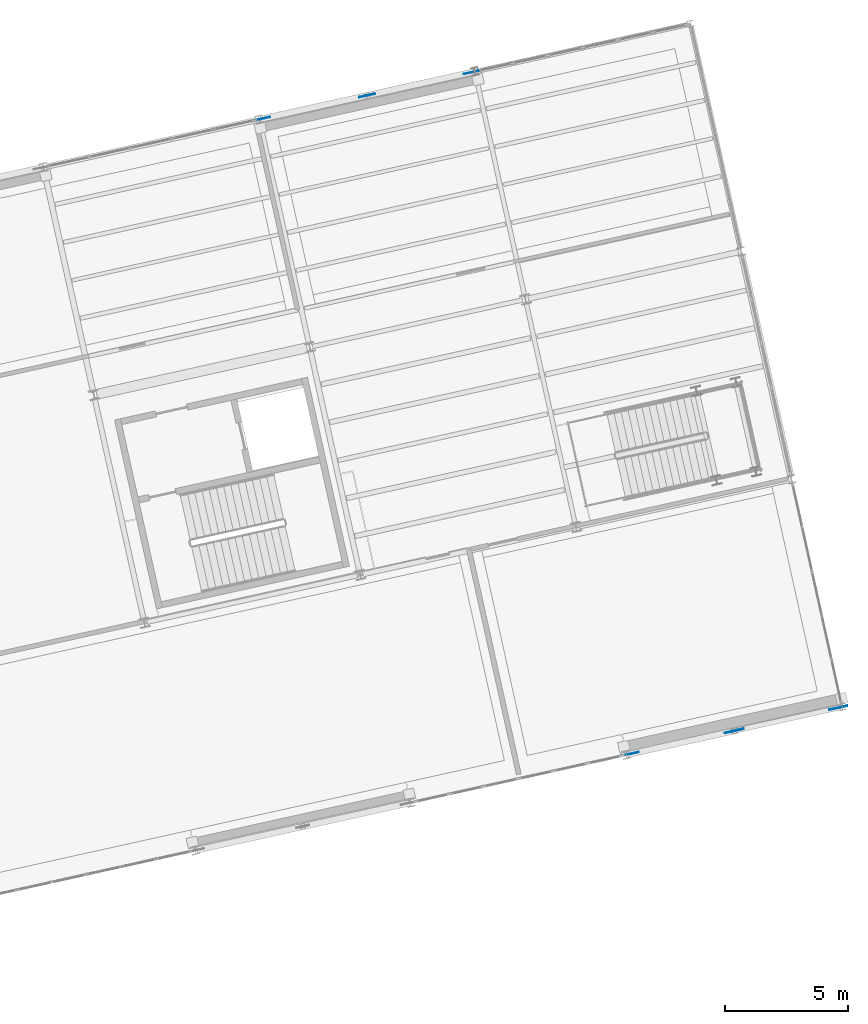
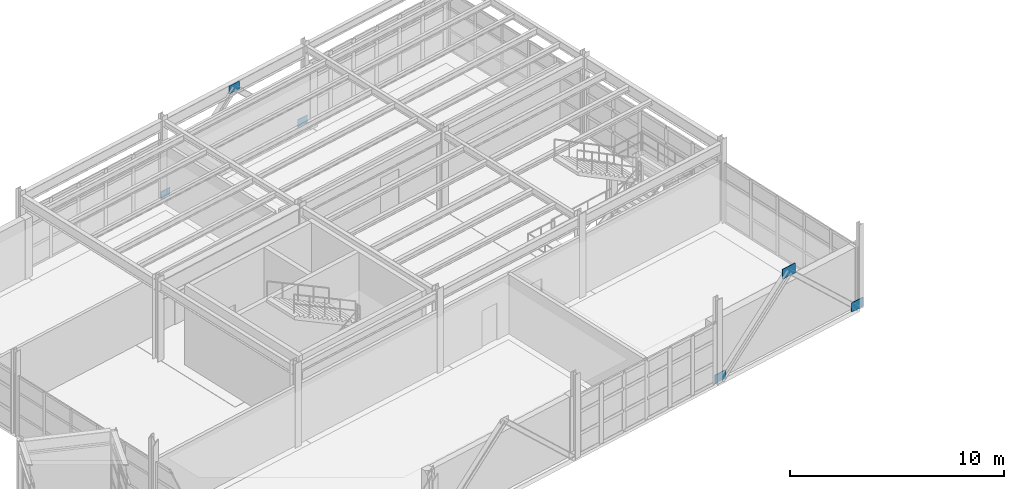
# One storey, part 84 of 102: 6 plates.
"""IFC4 building model written with IfcOpenShell, lengths in metres."""

import ifcopenshell
import ifcopenshell.guid

model = None  # the IFC model being written
_history = None  # IfcOwnerHistory: only IFC2X3 demands one
_inside = {}  # id of a spatial element -> (the spatial element, [elements in it])
_under = {}  # id of a project, library or spatial element -> (it, [spatial elements below it])
_declared = {}  # id of a project -> (the project, [libraries it declares])
_typed = {}  # id of a type object -> (the type object, [elements of that type])
_made_of = {}  # id of a material, layer set ... -> (it, [elements and type objects made of it])


def new_model(schema):
    """Start an empty IFC model of exactly this schema.

    Asked for "IFC4X3", IfcOpenShell would pick the latest addendum, in which some entities
    have other attributes; the version numbers below select the first issue.
    IFC2X3 requires an IfcOwnerHistory on every rooted entity: one is made here for all.
    """
    global model, _history
    if schema == "IFC4X3":
        model = ifcopenshell.file(schema_version=(4, 3, 0, 0))
    else:
        model = ifcopenshell.file(schema=schema)
    _inside.clear()
    _under.clear()
    _declared.clear()
    _typed.clear()
    _made_of.clear()
    _history = None
    if model.schema == "IFC2X3":
        org = make("IfcOrganization", Name="unknown")
        user = make(
            "IfcPersonAndOrganization",
            ThePerson=make("IfcPerson", FamilyName="unknown"),
            TheOrganization=org,
        )
        app = make(
            "IfcApplication",
            ApplicationDeveloper=org,
            Version="unknown",
            ApplicationFullName="unknown",
            ApplicationIdentifier="unknown",
        )
        _history = make(
            "IfcOwnerHistory",
            OwningUser=user,
            OwningApplication=app,
            ChangeAction="ADDED",
            CreationDate=0,
        )
    return model


def make(cls, **values):
    """One entity of the class cls with the attributes given. An attribute that is None is left unset."""
    return model.create_entity(
        cls, **{name: value for name, value in values.items() if value is not None}
    )


def rooted(cls, **values):
    """An entity with a GlobalId (a new one), such as an element, a storey or a relation."""
    return make(cls, GlobalId=ifcopenshell.guid.new(), OwnerHistory=_history, **values)


def si_unit(unit_type, name, prefix=None):
    """IfcSIUnit, for example si_unit("LENGTHUNIT", "METRE", prefix="MILLI")."""
    return make("IfcSIUnit", UnitType=unit_type, Prefix=prefix, Name=name)


def assignment(units):
    """IfcUnitAssignment: the units of a project."""
    return None if units is None else make("IfcUnitAssignment", Units=units)


def point(xyz):
    """IfcCartesianPoint."""
    return None if xyz is None else make("IfcCartesianPoint", Coordinates=xyz)


def direction(xyz):
    """IfcDirection."""
    return None if xyz is None else make("IfcDirection", DirectionRatios=xyz)


def frame(location, z_axis=None, x_axis=None):
    """IfcAxis2Placement3D, a coordinate frame: its origin and axes. An axis left out is left unset."""
    return make(
        "IfcAxis2Placement3D",
        Location=point(location),
        Axis=direction(z_axis),
        RefDirection=direction(x_axis),
    )


def frame_2d(location, x_axis=None):
    """IfcAxis2Placement2D, a coordinate frame in the plane: its origin and x axis."""
    return make(
        "IfcAxis2Placement2D", Location=point(location), RefDirection=direction(x_axis)
    )


def origin():
    """The frame at (0, 0, 0) with its axes left unset."""
    return frame((0.0, 0.0, 0.0))


def origin_2d():
    """The frame at (0, 0) in the plane with its x axis left unset."""
    return frame_2d((0.0, 0.0))


def place(relative_to, where):
    """IfcLocalPlacement: puts the frame where relative to a parent placement (None: the world)."""
    return make(
        "IfcLocalPlacement", PlacementRelTo=relative_to, RelativePlacement=where
    )


def context(
    kind, dimensions, precision=None, world=None, true_north=None, identifier=None
):
    """IfcGeometricRepresentationContext, for example the 3D "Model" context."""
    return make(
        "IfcGeometricRepresentationContext",
        ContextIdentifier=identifier,
        ContextType=kind,
        CoordinateSpaceDimension=dimensions,
        Precision=precision,
        WorldCoordinateSystem=world,
        TrueNorth=true_north,
    )


def subcontext(parent, identifier, kind, view, scale=None):
    """IfcGeometricRepresentationSubContext, for example "Body" below "Model"."""
    return make(
        "IfcGeometricRepresentationSubContext",
        ContextIdentifier=identifier,
        ContextType=kind,
        ParentContext=parent,
        TargetScale=scale,
        TargetView=view,
    )


def project(units=None, contexts=None):
    """IfcProject with its units and contexts."""
    return rooted(
        "IfcProject",
        Name="project",
        RepresentationContexts=contexts,
        UnitsInContext=assignment(units),
    )


def spatial(cls, under=None, at=None, **own):
    """A site, building, storey or space (cls), placed at a placement, below another one or the project."""
    s = rooted(cls, ObjectPlacement=at, **own)
    if under is not None:
        _under.setdefault(under.id(), (under, []))[1].append(s)
    return s


def profile(cls, at=None, kind="AREA", **sizes):
    """A parametric profile (cls). Its sizes go by their IFC names, for example OverallWidth=200.0."""
    return make(cls, ProfileType=kind, Position=at, **sizes)


def rectangle(**sizes):
    """IfcRectangleProfileDef."""
    return profile("IfcRectangleProfileDef", **sizes)


def extrude(swept, where, along, depth):
    """IfcExtrudedAreaSolid: the profile swept, set in the frame where, extruded along a direction by depth."""
    return make(
        "IfcExtrudedAreaSolid",
        SweptArea=swept,
        Position=where,
        ExtrudedDirection=direction(along),
        Depth=depth,
    )


def shape(context_of_items, identifier, shape_type, items):
    """IfcShapeRepresentation: the items that make up one representation, for example the "Body"."""
    return make(
        "IfcShapeRepresentation",
        ContextOfItems=context_of_items,
        RepresentationIdentifier=identifier,
        RepresentationType=shape_type,
        Items=items,
    )


def material(Name=None, Category=None):
    """IfcMaterial."""
    return make("IfcMaterial", Name=Name, Category=Category)


def layer(
    of_material, thickness, ventilated=None, Name=None, Category=None, Priority=None
):
    """IfcMaterialLayer: one layer of a wall or slab, of a material (None: an air gap)."""
    return make(
        "IfcMaterialLayer",
        Material=of_material,
        LayerThickness=thickness,
        IsVentilated=ventilated,
        Name=Name,
        Category=Category,
        Priority=Priority,
    )


def layer_set(layers, Name=None):
    """IfcMaterialLayerSet."""
    return make("IfcMaterialLayerSet", MaterialLayers=layers, LayerSetName=Name)


def made_of(thing, what):
    """Note that an element or type object is made of a material, layer set ...; save() writes the relation."""
    if what is not None:
        _made_of.setdefault(what.id(), (what, []))[1].append(thing)
    return thing


def type_object(cls, material=None, **own):
    """A type object (cls), such as IfcWallType, which elements share."""
    return made_of(rooted(cls, **own), material)


def element(
    cls,
    number,
    at=None,
    inside=None,
    cuts=None,
    type_object=None,
    material=None,
    context=None,
    identifier="Body",
    shape_type=None,
    held_by="IfcProductDefinitionShape",
    body=None,
    shapes=None,
    **own,
):
    """One element of the class cls, such as IfcWall. Its Tag is "e" and its number.

    at: its placement. inside: the storey or other place that contains it. cuts: it is an
    opening in that element (IfcRelVoidsElement). A single representation is given by context,
    identifier, shape_type and body (its items); several are given by shapes. held_by: the class
    of the entity that holds the representations. save() writes the other relations.
    """
    e = rooted(cls, Tag="e%d" % number, ObjectPlacement=at, **own)
    if body is not None:
        shapes = [shape(context, identifier, shape_type, body)]
    if shapes is not None:
        e.Representation = make(held_by, Representations=shapes)
    if inside is not None:
        _inside.setdefault(inside.id(), (inside, []))[1].append(e)
    if cuts is not None:
        rooted(
            "IfcRelVoidsElement", RelatingBuildingElement=cuts, RelatedOpeningElement=e
        )
    if type_object is not None:
        _typed.setdefault(type_object.id(), (type_object, []))[1].append(e)
    return made_of(e, material)


def aggregate(whole, parts):
    """IfcRelAggregates: a whole, such as a stair, and the parts it consists of."""
    return rooted("IfcRelAggregates", RelatingObject=whole, RelatedObjects=parts)


def save(model, path):
    """Write the relations noted so far, then the file.

    IfcRelAggregates (storeys below a building ...), IfcRelContainedInSpatialStructure (elements
    in a storey), IfcRelDefinesByType, IfcRelAssociatesMaterial and IfcRelDeclares: one each for
    every whole, place, type object, material and project.
    """
    for whole, parts in _under.values():
        aggregate(whole, parts)
    for where, things in _inside.values():
        rooted(
            "IfcRelContainedInSpatialStructure",
            RelatedElements=things,
            RelatingStructure=where,
        )
    for kind, things in _typed.values():
        rooted("IfcRelDefinesByType", RelatedObjects=things, RelatingType=kind)
    for what, things in _made_of.values():
        rooted("IfcRelAssociatesMaterial", RelatedObjects=things, RelatingMaterial=what)
    for by, libraries in _declared.values():
        rooted("IfcRelDeclares", RelatingContext=by, RelatedDefinitions=libraries)
    model.write(path)


model = new_model("IFC4")

# Units and contexts
model_context = context("Model", 3, precision=1e-05, world=origin(), true_north=direction((0.0, 1.0)))
body_context = subcontext(model_context, "Body", "Model", "MODEL_VIEW")
ifc_project = project(units=[si_unit("LENGTHUNIT", "METRE"), si_unit("AREAUNIT", "SQUARE_METRE"), si_unit("VOLUMEUNIT", "CUBIC_METRE"), si_unit("PLANEANGLEUNIT", "RADIAN"), si_unit("MASSUNIT", "GRAM", prefix="KILO")], contexts=[model_context])

# Site, building, storey
site_placement = place(None, origin())
site = spatial("IfcSite", under=ifc_project, at=site_placement, CompositionType="ELEMENT")
building_placement = place(site_placement, origin())
building = spatial("IfcBuilding", under=site, at=building_placement, Name="Vireo Bluff Cable Station", CompositionType="ELEMENT")
storey_placement = place(building_placement, frame((0.0, 0.0, 9.60009765625)))
storey = spatial("IfcBuildingStorey", under=building, at=storey_placement, Name="L02", CompositionType="ELEMENT", Elevation=9.60009765625)

# Plates
ifc_material = material(Name="Steel ASTM A572 Gr. 50", Category="steel")
ifc_layer_1 = layer(ifc_material, 0.02392578125, Name="Steel ASTM A572 Gr. 50")
ifc_layer_set_1 = layer_set([ifc_layer_1], Name="Steel ASTM A572 Gr. 50")
plate_type_1 = type_object("IfcPlateType", Name="GUSSET-580X400X24", PredefinedType="USERDEFINED", material=ifc_layer_set_1)
plate_1_placement = place(storey_placement, frame((137.56103515625, 105.7548828125, 0.02001953125), z_axis=(0.0, 0.0, 1.0), x_axis=(0.97629600712, 0.216439613938, 0.0)))
element("IfcPlate", 1, at=plate_1_placement, inside=storey, type_object=plate_type_1, Name="V2 L02 brace base gusset plate 104", ObjectType="GUSSET PLATE", PredefinedType="USERDEFINED", context=body_context, shape_type="SweptSolid", body=[
    extrude(rectangle(XDim=0.580078125, YDim=0.02392578125, at=origin_2d()), origin(), (0.0, 0.0, 1.0), 0.39990234375),
])
ifc_layer_2 = layer(ifc_material, 0.02490234375, Name="Steel ASTM A572 Gr. 50")
ifc_layer_set_2 = layer_set([ifc_layer_2], Name="Steel ASTM A572 Gr. 50")
plate_type_2 = type_object("IfcPlateType", Name="GUSSET-620X420X25", PredefinedType="USERDEFINED", material=ifc_layer_set_2)
plate_2_placement = place(storey_placement, frame((146.03515625, 107.6337890625, 0.010009765625), z_axis=(0.0, 0.0, 1.0), x_axis=(0.97629600712, 0.216439613938, 0.0)))
element("IfcPlate", 2, at=plate_2_placement, inside=storey, type_object=plate_type_2, Name="V2 L02 brace base gusset plate 105", ObjectType="GUSSET PLATE", PredefinedType="USERDEFINED", context=body_context, shape_type="SweptSolid", body=[
    extrude(rectangle(XDim=0.6201171875, YDim=0.02490234375, at=origin_2d()), origin(), (0.0, 0.0, 1.0), 0.419921875),
])
ifc_layer_3 = layer(ifc_material, 0.028076171875, Name="Steel ASTM A572 Gr. 50")
ifc_layer_set_3 = layer_set([ifc_layer_3], Name="Steel ASTM A572 Gr. 50")
plate_type_3 = type_object("IfcPlateType", Name="GUSSET-660X450X28", PredefinedType="USERDEFINED", material=ifc_layer_set_3)
plate_3_placement = place(storey_placement, frame((141.798095703125, 106.6943359375, 3.955078125), z_axis=(0.0, 0.0, 1.0), x_axis=(0.97629600712, 0.216439613938, 0.0)))
element("IfcPlate", 3, at=plate_3_placement, inside=storey, type_object=plate_type_3, Name="V2 L02 chevron gusset plate 106", ObjectType="GUSSET PLATE", PredefinedType="USERDEFINED", context=body_context, shape_type="SweptSolid", body=[
    extrude(rectangle(XDim=0.659912109375, YDim=0.028076171875, at=origin_2d()), origin(), (0.0, 0.0, 1.0), 0.449951171875),
])
ifc_layer_4 = layer(ifc_material, 0.030029296875, Name="Steel ASTM A572 Gr. 50")
ifc_layer_set_4 = layer_set([ifc_layer_4], Name="Steel ASTM A572 Gr. 50")
plate_type_4 = type_object("IfcPlateType", Name="GUSSET-700X480X30", PredefinedType="USERDEFINED", material=ifc_layer_set_4)
plate_4_placement = place(storey_placement, frame((152.51611328125, 79.87841796875, -0.02001953125), z_axis=(0.0, 0.0, 1.0), x_axis=(0.97629600712, 0.216439613938, 0.0)))
element("IfcPlate", 4, at=plate_4_placement, inside=storey, type_object=plate_type_4, Name="V2 L02 brace base gusset plate 107", ObjectType="GUSSET PLATE", PredefinedType="USERDEFINED", context=body_context, shape_type="SweptSolid", body=[
    extrude(rectangle(XDim=0.699951171875, YDim=0.030029296875, at=origin_2d()), origin(), (0.0, 0.0, 1.0), 0.47998046875),
])
ifc_layer_5 = layer(ifc_material, 0.031982421875, Name="Steel ASTM A572 Gr. 50")
ifc_layer_set_5 = layer_set([ifc_layer_5], Name="Steel ASTM A572 Gr. 50")
plate_type_5 = type_object("IfcPlateType", Name="GUSSET-750X520X32", PredefinedType="USERDEFINED", material=ifc_layer_set_5)
plate_5_placement = place(storey_placement, frame((160.990478515625, 81.757080078125, -0.0400390625), z_axis=(0.0, 0.0, 1.0), x_axis=(0.97629600712, 0.216439613938, 0.0)))
element("IfcPlate", 5, at=plate_5_placement, inside=storey, type_object=plate_type_5, Name="V2 L02 brace base gusset plate 108", ObjectType="GUSSET PLATE", PredefinedType="USERDEFINED", context=body_context, shape_type="SweptSolid", body=[
    extrude(rectangle(XDim=0.75, YDim=0.031982421875, at=origin_2d()), origin(), (0.0, 0.0, 1.0), 0.52001953125),
])
ifc_layer_6 = layer(ifc_material, 0.034912109375, Name="Steel ASTM A572 Gr. 50")
ifc_layer_set_6 = layer_set([ifc_layer_6], Name="Steel ASTM A572 Gr. 50")
plate_type_6 = type_object("IfcPlateType", Name="GUSSET-800X560X35", PredefinedType="USERDEFINED", material=ifc_layer_set_6)
plate_6_placement = place(storey_placement, frame((156.75341796875, 80.81787109375, 3.89990234375), z_axis=(0.0, 0.0, 1.0), x_axis=(0.97629600712, 0.216439613938, 0.0)))
element("IfcPlate", 6, at=plate_6_placement, inside=storey, type_object=plate_type_6, Name="V2 L02 chevron gusset plate 109", ObjectType="GUSSET PLATE", PredefinedType="USERDEFINED", context=body_context, shape_type="SweptSolid", body=[
    extrude(rectangle(XDim=0.800048828125, YDim=0.034912109375, at=origin_2d()), origin(), (0.0, 0.0, 1.0), 0.56005859375),
])

save(model, "model.ifc")
